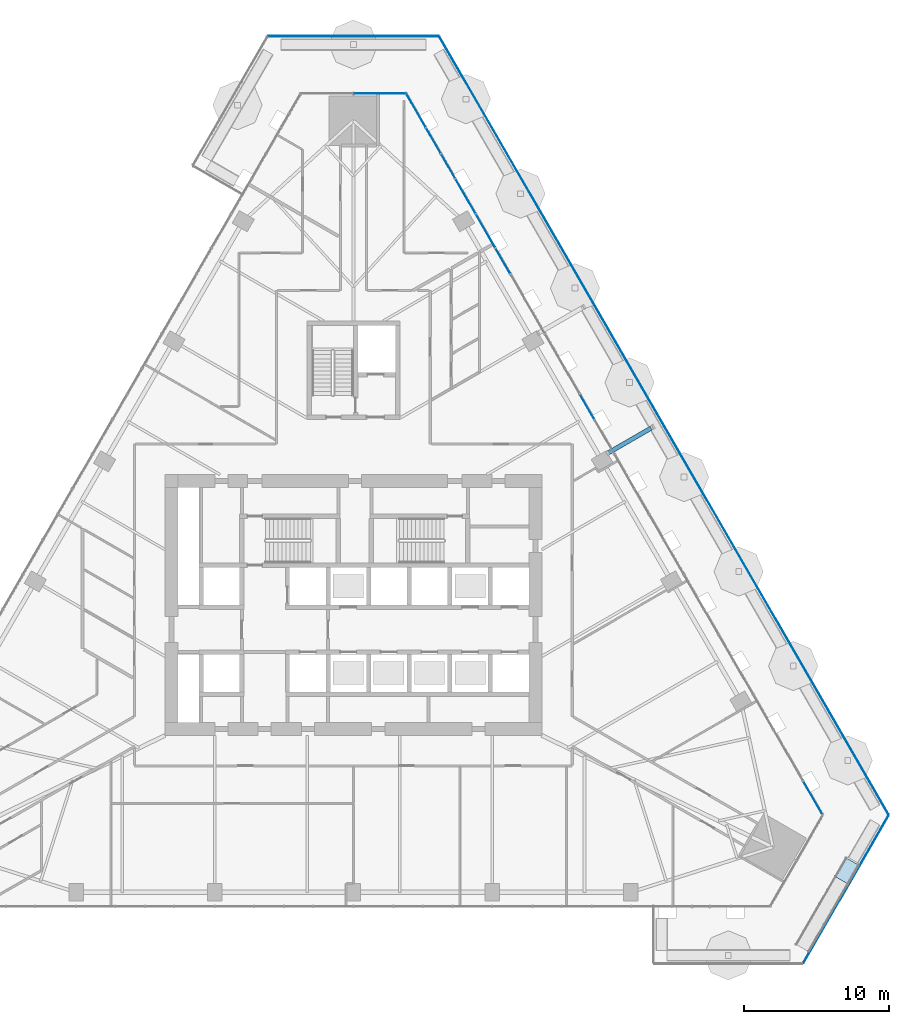
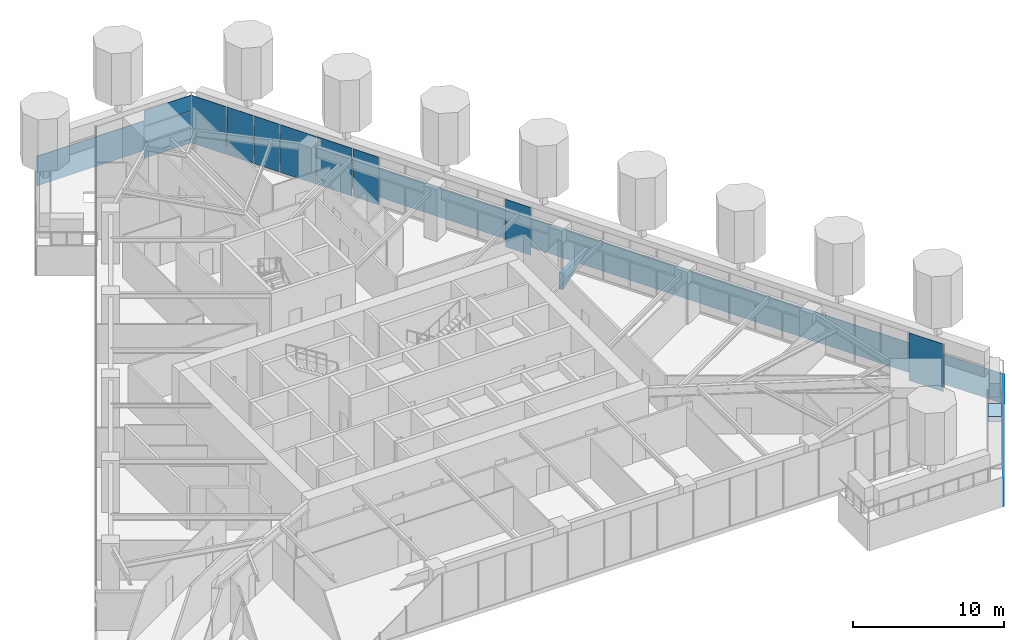
# One storey, part 16 of 26: 15 plates, 1 slab, 2 elements without a shape of their own.
"""IFC4 building model written with IfcOpenShell, lengths in metres."""

from ifc_helpers import new_model, si_unit, direction, frame, origin, place, context, subcontext, project, spatial, polyline, outline, extrude, material, layer, layer_set, type_object, element, aggregate, save


model = new_model("IFC4")

# Units and contexts
model_context = context("Model", 3, precision=1e-05, world=origin(), true_north=direction((0.0, 1.0)))
body_context = subcontext(model_context, "Body", "Model", "MODEL_VIEW")
ifc_project = project(units=[si_unit("LENGTHUNIT", "METRE"), si_unit("AREAUNIT", "SQUARE_METRE"), si_unit("VOLUMEUNIT", "CUBIC_METRE"), si_unit("PLANEANGLEUNIT", "RADIAN"), si_unit("MASSUNIT", "GRAM", prefix="KILO")], contexts=[model_context])

# Site, building, storey
site_placement = place(None, origin())
site = spatial("IfcSite", under=ifc_project, at=site_placement, CompositionType="ELEMENT")
building_placement = place(site_placement, origin())
building = spatial("IfcBuilding", under=site, at=building_placement, Name="Firuza Gate Tower and Library", CompositionType="ELEMENT")
storey_placement = place(building_placement, frame((0.0, 0.0, 52.60009765625)))
storey = spatial("IfcBuildingStorey", under=building, at=storey_placement, Name="L11", CompositionType="ELEMENT", Elevation=52.60009765625)

# Curtain wall, plates
ifc_material_1 = material(Name="Aluminium 6063-T6", Category="aluminium")
ifc_layer_1 = layer(ifc_material_1, 0.14990234375)
ifc_layer_set_1 = layer_set([ifc_layer_1], Name="Corner curtain wall, chamfers")
curtain_wall_type_1 = type_object("IfcCurtainWallType", Name="Corner curtain wall, chamfers", PredefinedType="NOTDEFINED", material=ifc_layer_set_1)
placement = place(storey_placement, origin())
curtain_wall_1 = element("IfcCurtainWall", 1, at=placement, inside=storey, type_object=curtain_wall_type_1, Name="CW4 L11 N corner", PredefinedType="NOTDEFINED")
ifc_material_2 = material(Name="Fritted glass", Category="glass")
ifc_layer_2 = layer(ifc_material_2, 0.030029296875)
ifc_layer_set_2 = layer_set([ifc_layer_2], Name="Fritted glass unit, corners")
plate_type_1 = type_object("IfcPlateType", Name="Fritted glass unit, corners", PredefinedType="CURTAIN_PANEL", material=ifc_layer_set_2)
plate_1_placement = place(storey_placement, frame((78.603271484375, 110.310302734375, 0.14990234375), z_axis=(0.0, 1.0, 0.0), x_axis=(-1.0, 0.0, 0.0)))
plate_1 = element("IfcPlate", 2, at=plate_1_placement, type_object=plate_type_1, Name="Glass unit", PredefinedType="CURTAIN_PANEL", context=body_context, shape_type="SweptSolid", body=[
    extrude(outline(polyline([(0.0, 0.0), (3.563232421875, 0.0), (3.563232421875, 1.260009765625), (0.0, 1.260009765625), (0.0, 0.0)])), origin(), (0.0, 0.0, -1.0), 0.030029296875),
])
plate_2_placement = place(storey_placement, frame((78.603271484375, 110.310302734375, 1.489990234375), z_axis=(0.0, 1.0, 0.0), x_axis=(-1.0, 0.0, 0.0)))
plate_2 = element("IfcPlate", 3, at=plate_2_placement, type_object=plate_type_1, Name="Glass unit", PredefinedType="CURTAIN_PANEL", context=body_context, shape_type="SweptSolid", body=[
    extrude(outline(polyline([(0.0, 0.0), (3.563232421875, 0.0), (3.563232421875, 1.19482421875), (0.0, 1.19482421875), (0.0, 0.0)])), origin(), (0.0, 0.0, -1.0), 0.030029296875),
])

ifc_material_3 = material(Name="Aluminium 6063-T6", Category="aluminium")
ifc_layer_3 = layer(ifc_material_3, 0.14990234375)
ifc_layer_set_3 = layer_set([ifc_layer_3], Name="Unitised curtain wall, offices")
curtain_wall_type_2 = type_object("IfcCurtainWallType", Name="Unitised curtain wall, offices", PredefinedType="NOTDEFINED", material=ifc_layer_set_3)
curtain_wall_2 = element("IfcCurtainWall", 4, at=placement, inside=storey, type_object=curtain_wall_type_2, Name="CW1 L11 E face", PredefinedType="NOTDEFINED")
ifc_material_4 = material(Name="Fritted glass", Category="glass")
ifc_layer_4 = layer(ifc_material_4, 0.030029296875)
ifc_layer_set_4 = layer_set([ifc_layer_4], Name="Fritted glass unit, offices")
plate_type_2 = type_object("IfcPlateType", Name="Fritted glass unit, offices", PredefinedType="CURTAIN_PANEL", material=ifc_layer_set_4)
plate_3_placement = place(storey_placement, frame((91.627685546875, 87.8359375, 0.14990234375), z_axis=(0.865974815039, 0.500087612042, 0.0), x_axis=(-0.500087612042, 0.865974815039, 0.0)))
plate_3 = element("IfcPlate", 5, at=plate_3_placement, type_object=plate_type_2, Name="Glass unit", PredefinedType="CURTAIN_PANEL", context=body_context, shape_type="SweptSolid", body=[
    extrude(outline(polyline([(0.0, 0.0), (1.948389064061364, 0.0), (1.948389064061364, 3.85009765625), (0.0, 3.85009765625), (0.0, 0.0)])), origin(), (0.0, 0.0, -1.0), 0.030029296875),
])
plate_4_placement = place(storey_placement, frame((85.822509765625, 97.890625, 0.14990234375), z_axis=(0.866031967744, 0.499988630717, 0.0), x_axis=(-0.499988630717, 0.866031967744, 0.0)))
plate_4 = element("IfcPlate", 6, at=plate_4_placement, type_object=plate_type_2, Name="Glass unit", PredefinedType="CURTAIN_PANEL", context=body_context, shape_type="SweptSolid", body=[
    extrude(outline(polyline([(0.0, 0.0), (1.9849084152213954, 0.0), (1.9849084152213954, 3.850097656250001), (0.0, 3.850097656250001), (0.0, 0.0)])), origin(), (0.0, 0.0, -1.0), 0.030029296875),
])
plate_5_placement = place(storey_placement, frame((82.027587890625, 104.463623046875, 0.14990234375), z_axis=(0.866026077102, 0.499998833779, 0.0), x_axis=(-0.499998833779, 0.866026077102, 0.0)))
plate_5 = element("IfcPlate", 7, at=plate_5_placement, type_object=plate_type_2, Name="Glass unit", PredefinedType="CURTAIN_PANEL", context=body_context, shape_type="SweptSolid", body=[
    extrude(outline(polyline([(0.0, 0.0), (1.9116255525071724, 0.0), (1.9116255525071724, 3.85009765625), (0.0, 3.85009765625), (0.0, 0.0)])), origin(), (0.0, 0.0, -1.0), 0.030029296875),
])
plate_6_placement = place(storey_placement, frame((81.03173828125, 106.1884765625, 0.14990234375), z_axis=(0.866037453254, 0.499979129126, 0.0), x_axis=(-0.499979129126, 0.866037453254, 0.0)))
plate_6 = element("IfcPlate", 8, at=plate_6_placement, type_object=plate_type_2, Name="Glass unit", PredefinedType="CURTAIN_PANEL", context=body_context, shape_type="SweptSolid", body=[
    extrude(outline(polyline([(0.0, 0.0), (2.0035015984079734, 0.0), (2.0035015984079734, 3.85009765625), (0.0, 3.85009765625), (0.0, 0.0)])), origin(), (0.0, 0.0, -1.0), 0.030029296875),
])

# Slab
ifc_material_5 = material(Name="Concrete C40/50", Category="concrete")
ifc_layer_5 = layer(ifc_material_5, 0.449951171875)
ifc_layer_set_5 = layer_set([ifc_layer_5], Name="Garden deck 450")
slab_type = type_object("IfcSlabType", Name="Garden deck 450", PredefinedType="FLOOR", material=ifc_layer_set_5)
element("IfcSlab", 9, at=placement, inside=storey, type_object=slab_type, Name="Garden deck 1", PredefinedType="FLOOR", context=body_context, shape_type="SweptSolid", body=[
    extrude(outline(polyline([(109.07373046875, 55.77685546875), (109.824462890625, 57.0771484375), (109.045166015625, 57.527099609375), (108.294189453125, 56.226806640625), (109.07373046875, 55.77685546875)])), origin(), (0.0, 0.0, 1.0), 0.449951171875),
])

# Plate
ifc_material_6 = material(Name="Glazed ceramic tile")
ifc_layer_6 = layer(ifc_material_6, 0.030029296875)
ifc_layer_set_6 = layer_set([ifc_layer_6], Name="Opaque ceramic panel, corners")
plate_type_3 = type_object("IfcPlateType", Name="Opaque ceramic panel, corners", PredefinedType="CURTAIN_PANEL", material=ifc_layer_set_6)
plate_7_placement = place(storey_placement, frame((78.603271484375, 110.310302734375, 2.764892578125), z_axis=(0.0, 1.0, 0.0), x_axis=(-1.0, 0.0, 0.0)))
plate_7 = element("IfcPlate", 10, at=plate_7_placement, type_object=plate_type_3, Name="Opaque ceramic panel", PredefinedType="CURTAIN_PANEL", context=body_context, shape_type="SweptSolid", body=[
    extrude(outline(polyline([(0.0, 0.0), (3.563232421875, 0.0), (3.563232421875, 1.235107421875), (0.0, 1.235107421875), (0.0, 0.0)])), origin(), (0.0, 0.0, -1.0), 0.030029296875),
])

aggregate(curtain_wall_1, [plate_1, plate_2, plate_7])

ifc_material_7 = material(Name="Glazed ceramic tile")
ifc_layer_7 = layer(ifc_material_7, 0.030029296875)
ifc_layer_set_7 = layer_set([ifc_layer_7], Name="Opaque ceramic panel, offices")
plate_type_4 = type_object("IfcPlateType", Name="Opaque ceramic panel, offices", PredefinedType="CURTAIN_PANEL", material=ifc_layer_set_7)
plate_8_placement = place(storey_placement, frame((107.38134765625, 60.549560546875, 0.14990234375), z_axis=(0.866021561589, 0.500006654819, 0.0), x_axis=(-0.500006654819, 0.866021561589, 0.0)))
plate_8 = element("IfcPlate", 11, at=plate_8_placement, type_object=plate_type_4, Name="Opaque ceramic panel", PredefinedType="CURTAIN_PANEL", context=body_context, shape_type="SweptSolid", body=[
    extrude(outline(polyline([(0.0, 0.0), (2.6274064364230245, 0.0), (2.6274064364230245, 3.85009765625), (0.0, 3.85009765625), (0.0, 0.0)])), origin(), (0.0, 0.0, -1.0), 0.030029296875),
])

plate_9_placement = place(storey_placement, frame((84.7900390625, 99.678955078125, 0.14990234375), z_axis=(0.866002718738, 0.500039289594, 0.0), x_axis=(-0.500039289594, 0.866002718738, 0.0)))
plate_9 = element("IfcPlate", 12, at=plate_9_placement, type_object=plate_type_4, Name="Opaque ceramic panel", PredefinedType="CURTAIN_PANEL", context=body_context, shape_type="SweptSolid", body=[
    extrude(outline(polyline([(0.0, 0.0), (2.64578818986082, 0.0), (2.64578818986082, 3.85009765625), (0.0, 3.85009765625), (0.0, 0.0)])), origin(), (0.0, 0.0, -1.0), 0.030029296875),
])

plate_10_placement = place(storey_placement, frame((83.427001953125, 102.03955078125, 0.14990234375), z_axis=(0.866046528967, 0.499963408325, 0.0), x_axis=(-0.499963408325, 0.866046528967, 0.0)))
plate_10 = element("IfcPlate", 13, at=plate_10_placement, type_object=plate_type_4, Name="Opaque ceramic panel", PredefinedType="CURTAIN_PANEL", context=body_context, shape_type="SweptSolid", body=[
    extrude(outline(polyline([(0.0, 0.0), (2.7189489817973063, 0.0), (2.7189489817973063, 3.85009765625), (0.0, 3.85009765625), (0.0, 0.0)])), origin(), (0.0, 0.0, -1.0), 0.030029296875),
])

plate_11_placement = place(storey_placement, frame((79.989990234375, 107.99267578125, 0.14990234375), z_axis=(0.866021561589, 0.500006654819, 0.0), x_axis=(-0.500006654819, 0.866021561589, 0.0)))
plate_11 = element("IfcPlate", 14, at=plate_11_placement, type_object=plate_type_4, Name="Opaque ceramic panel", PredefinedType="CURTAIN_PANEL", context=body_context, shape_type="SweptSolid", body=[
    extrude(outline(polyline([(0.0, 0.0), (2.6274064364230245, 0.0), (2.6274064364230245, 3.85009765625), (0.0, 3.85009765625), (0.0, 0.0)])), origin(), (0.0, 0.0, -1.0), 0.030029296875),
])

aggregate(curtain_wall_2, [plate_8, plate_3, plate_4, plate_9, plate_10, plate_5, plate_6, plate_11])

# Plates
ifc_material_8 = material(Name="Steel S355", Category="steel")
ifc_layer_8 = layer(ifc_material_8, 0.300048828125)
ifc_layer_set_8 = layer_set([ifc_layer_8], Name="Tray bracket web 300 Steel S355")
plate_type_5 = type_object("IfcPlateType", Name="Tray bracket web 300 Steel S355", PredefinedType="SHEET", material=ifc_layer_set_8)
plate_12_placement = place(storey_placement, frame((92.49609375, 85.62109375, -0.2001953125), z_axis=(-0.500028509433, 0.86600894323, 0.0), x_axis=(0.86600894323, 0.500028509433, 0.0)))
element("IfcPlate", 15, at=plate_12_placement, inside=storey, type_object=plate_type_5, Name="Tray bracket web L11 col:L10:E3", PredefinedType="SHEET", context=body_context, shape_type="SweptSolid", body=[
    extrude(outline(polyline([(0.0, 0.0), (3.4294919542601163, 0.0), (0.0, 1.333984375), (0.0, 0.0)])), origin(), (0.0, 0.0, -1.0), 0.300048828125),
])
ifc_material_9 = material(Name="Aluminium 6063-T6", Category="aluminium")
ifc_layer_9 = layer(ifc_material_9, 0.050048828125)
ifc_layer_set_9 = layer_set([ifc_layer_9], Name="Tray fascia panel 50")
plate_type_6 = type_object("IfcPlateType", Name="Tray fascia panel 50", PredefinedType="SHEET", material=ifc_layer_set_9)
plate_13_placement = place(storey_placement, frame((106.069091796875, 50.27294921875, -2.400146484375), z_axis=(0.866021710133, -0.500006397537, 0.0), x_axis=(0.500006397537, 0.866021710133, 0.0)))
element("IfcPlate", 16, at=plate_13_placement, inside=storey, type_object=plate_type_6, Name="Tray fascia L11 2", PredefinedType="SHEET", context=body_context, shape_type="SweptSolid", body=[
    extrude(outline(polyline([(0.0, 0.0), (11.759615159857997, 0.0), (11.759615159857997, 2.400146484375), (0.0, 2.400146484375), (0.0, 0.0)])), origin(), (0.0, 0.0, -1.0), 0.050048828125),
])
plate_14_placement = place(storey_placement, frame((111.948974609375, 60.55908203125, -2.400146484375), z_axis=(0.866022661997, 0.500004748885, 0.0), x_axis=(-0.500004748885, 0.866022661997, 0.0)))
element("IfcPlate", 17, at=plate_14_placement, inside=storey, type_object=plate_type_6, Name="Tray fascia L11 3", PredefinedType="SHEET", context=body_context, shape_type="SweptSolid", body=[
    extrude(outline(polyline([(0.0, 0.0), (61.96132556811554, 0.0), (61.96132556811554, 2.400146484375), (0.0, 2.400146484375), (0.0, 0.0)])), origin(), (0.0, 0.0, -1.0), 0.050048828125),
])
plate_15_placement = place(storey_placement, frame((80.87890625, 114.27001953125, -2.400146484375), z_axis=(0.0, 1.0, 0.0), x_axis=(-1.0, 0.0, 0.0)))
element("IfcPlate", 18, at=plate_15_placement, inside=storey, type_object=plate_type_6, Name="Tray fascia L11 4", PredefinedType="SHEET", context=body_context, shape_type="SweptSolid", body=[
    extrude(outline(polyline([(0.0, 0.0), (11.7578125, 0.0), (11.7578125, 2.400146484375), (0.0, 2.400146484375), (0.0, 0.0)])), origin(), (0.0, 0.0, -1.0), 0.050048828125),
])

save(model, "model.ifc")
